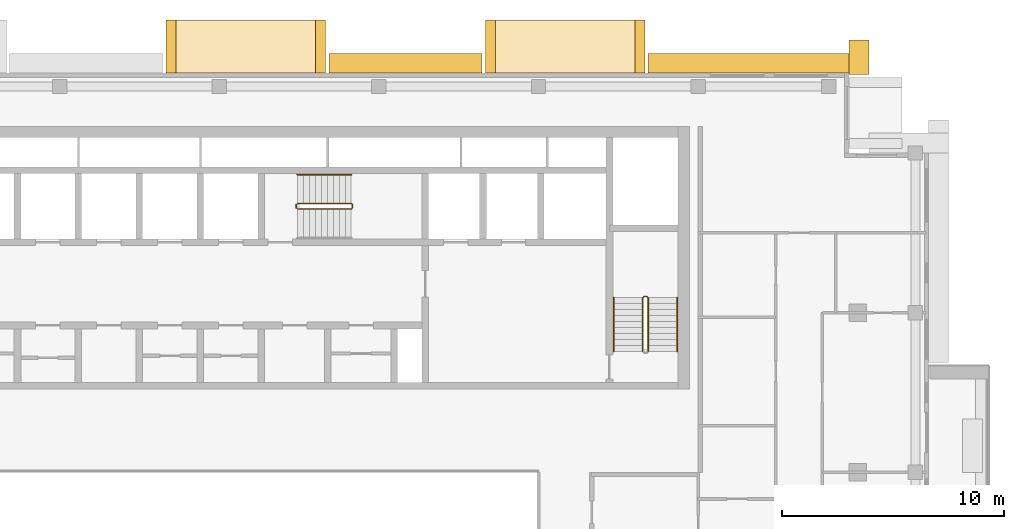
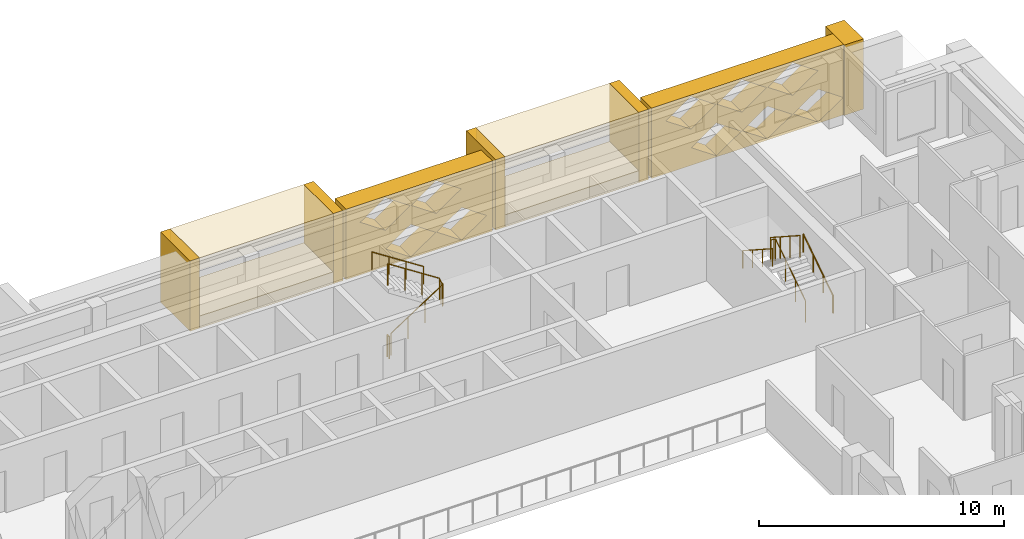
# One storey, part 18 of 19: 11 coverings, 6 railings.
"""IFC4 building model written with IfcOpenShell, lengths in metres."""

from ifc_helpers import new_model, si_unit, direction, frame, origin, origin_2d, place, context, subcontext, project, spatial, polyline, circle, outline, extrude, material, type_object, element, save


model = new_model("IFC4")

# Units and contexts
model_context = context("Model", 3, precision=1e-05, world=origin(), true_north=direction((0.0, 1.0)))
body_context = subcontext(model_context, "Body", "Model", "MODEL_VIEW")
ifc_project = project(units=[si_unit("LENGTHUNIT", "METRE"), si_unit("AREAUNIT", "SQUARE_METRE"), si_unit("VOLUMEUNIT", "CUBIC_METRE"), si_unit("PLANEANGLEUNIT", "RADIAN"), si_unit("MASSUNIT", "GRAM", prefix="KILO")], contexts=[model_context])

# Site, building, storey
site_placement = place(None, origin())
site = spatial("IfcSite", under=ifc_project, at=site_placement, CompositionType="ELEMENT")
building_placement = place(site_placement, origin())
building = spatial("IfcBuilding", under=site, at=building_placement, Name="Saffron Iwan Residences", CompositionType="ELEMENT")
storey_placement = place(building_placement, frame((0.0, 0.0, 246.5)))
storey = spatial("IfcBuildingStorey", under=building, at=storey_placement, Name="L66", CompositionType="ELEMENT", Elevation=246.5)

# Coverings
ifc_material_1 = material(Name="Precast concrete C40/50", Category="concrete")
covering_type_1 = type_object("IfcCoveringType", Name="OUTER SKIN LATTICE SCREEN", PredefinedType="CLADDING", material=ifc_material_1)
covering_1_placement = place(storey_placement, frame((78.800048828125, 80.35009765625, -0.280029296875), z_axis=(1.0, 0.0, 0.0), x_axis=(0.0, 1.0, 0.0)))
element("IfcCovering", 1, at=covering_1_placement, inside=storey, type_object=covering_type_1, Name="OUTER SKIN lattice screen L66 F4.0", PredefinedType="CLADDING", context=body_context, shape_type="SweptSolid", body=[
    extrude(outline(polyline([(0.0, 0.0), (1.550048828125, 0.0), (1.550048828125, 3.5), (0.0, 3.5), (0.0, 0.0)])), origin(), (0.0, 0.0, 1.0), 0.89990234375),
])
covering_2_placement = place(storey_placement, frame((79.699951171875, 80.39990234375, -0.280029296875), z_axis=(0.0, 1.0, 0.0), x_axis=(-1.0, 0.0, 0.0)))
element("IfcCovering", 2, at=covering_2_placement, inside=storey, type_object=covering_type_1, Name="OUTER SKIN lattice screen L66 F5.0", PredefinedType="CLADDING", context=body_context, shape_type="SweptSolid", body=[
    extrude(outline(polyline([(0.0, 0.0), (9.949951171875, 0.0), (9.949951171875, 3.5), (0.0, 3.5), (0.0, 0.0)]), holes=[polyline([(0.919921875, 0.875), (2.10009765625, 0.06005859375), (3.280029296875, 0.875), (2.10009765625, 1.68994140625), (0.919921875, 0.875)]), polyline([(3.320068359375, 0.875), (4.5, 0.06005859375), (5.679931640625, 0.875), (4.5, 1.68994140625), (3.320068359375, 0.875)]), polyline([(5.719970703125, 0.875), (6.89990234375, 0.06005859375), (8.080078125, 0.875), (6.89990234375, 1.68994140625), (5.719970703125, 0.875)]), polyline([(2.1201171875, 2.625), (3.300048828125, 1.81005859375), (4.47998046875, 2.625), (3.300048828125, 3.43994140625), (2.1201171875, 2.625)]), polyline([(4.52001953125, 2.625), (5.699951171875, 1.81005859375), (6.8798828125, 2.625), (5.699951171875, 3.43994140625), (4.52001953125, 2.625)]), polyline([(6.919921875, 2.625), (8.10009765625, 1.81005859375), (9.280029296875, 2.625), (8.10009765625, 3.43994140625), (6.919921875, 2.625)])]), origin(), (0.0, 0.0, 1.0), 0.900146484375),
])
covering_3_placement = place(storey_placement, frame((62.25, 80.39990234375, -0.280029296875), z_axis=(0.0, 1.0, 0.0), x_axis=(-1.0, 0.0, 0.0)))
element("IfcCovering", 3, at=covering_3_placement, inside=storey, type_object=covering_type_1, Name="OUTER SKIN lattice screen L66 F5.1", PredefinedType="CLADDING", context=body_context, shape_type="SweptSolid", body=[
    extrude(outline(polyline([(0.0, 0.0), (6.89990234375, 0.0), (6.89990234375, 3.5), (0.0, 3.5), (0.0, 0.0)]), holes=[polyline([(0.27001953125, 0.875), (1.449951171875, 0.06005859375), (2.6298828125, 0.875), (1.449951171875, 1.68994140625), (0.27001953125, 0.875)]), polyline([(2.669921875, 0.875), (3.85009765625, 0.06005859375), (5.030029296875, 0.875), (3.85009765625, 1.68994140625), (2.669921875, 0.875)]), polyline([(1.469970703125, 2.625), (2.64990234375, 1.81005859375), (3.830078125, 2.625), (2.64990234375, 3.43994140625), (1.469970703125, 2.625)]), polyline([(3.8701171875, 2.625), (5.050048828125, 1.81005859375), (6.22998046875, 2.625), (5.050048828125, 3.43994140625), (3.8701171875, 2.625)])]), origin(), (0.0, 0.0, 1.0), 0.900146484375),
])

# Railings
ifc_material_2 = material(Name="Steel S355", Category="steel")
railing_type_1 = type_object("IfcRailingType", Name="Stair guard 1100", PredefinedType="GUARDRAIL", material=ifc_material_2)
railing_1_placement = place(storey_placement, frame((53.925048828125, 74.27490234375, 0.175048828125)))
element("IfcRailing", 4, at=railing_1_placement, inside=storey, type_object=railing_type_1, Name="L66 ST-C stair guard 1", PredefinedType="GUARDRAIL", context=body_context, shape_type="SweptSolid", body=[
    extrude(circle(Radius=0.02392578125, at=origin_2d()), frame((0.0, 0.0, 1.076171875), z_axis=(0.839153699163, 0.0, 0.543894354798), x_axis=(0.0, 1.0, 0.0)), (0.0, 0.0, 1.0), 2.895751953125),
    extrude(circle(Radius=0.02392578125, at=origin_2d()), frame((2.429931640625, 0.0, 2.65087890625), z_axis=(0.707106781187, 0.707106781187, 0.0), x_axis=(-0.707106781187, 0.707106781187, 0.0)), (0.0, 0.0, 1.0), 0.07080078125),
    extrude(circle(Radius=0.02392578125, at=origin_2d()), frame((2.47998046875, 0.050048828125, 2.65087890625), z_axis=(0.0, 1.0, 0.0), x_axis=(-1.0, 0.0, 0.0)), (0.0, 0.0, 1.0), 0.150146484375),
    extrude(circle(Radius=0.02392578125, at=origin_2d()), frame((2.47998046875, 0.2001953125, 2.65087890625), z_axis=(-0.265155923931, 0.263862480399, 0.927399011991), x_axis=(-0.705375805398, -0.708833529934, 0.0)), (0.0, 0.0, 1.0), 0.188720703125),
    extrude(circle(Radius=0.02392578125, at=origin_2d()), frame((2.429931640625, 0.25, 2.826171875), z_axis=(-0.839153699163, 0.0, 0.543894354798), x_axis=(0.0, -1.0, 0.0)), (0.0, 0.0, 1.0), 2.895751953125),
    extrude(circle(Radius=0.02099609375, at=origin_2d()), origin(), (0.0, 0.0, 1.0), 1.052001953125),
    extrude(circle(Radius=0.02099609375, at=origin_2d()), frame((0.81005859375, 0.0, 0.52490234375)), (0.0, 0.0, 1.0), 1.052001953125),
    extrude(circle(Radius=0.02099609375, at=origin_2d()), frame((1.619873046875, 0.0, 1.050048828125)), (0.0, 0.0, 1.0), 1.052001953125),
    extrude(circle(Radius=0.02099609375, at=origin_2d()), frame((2.429931640625, 0.0, 1.574951171875)), (0.0, 0.0, 1.0), 1.052001953125),
    extrude(circle(Radius=0.02099609375, at=origin_2d()), frame((2.47998046875, 0.050048828125, 1.574951171875)), (0.0, 0.0, 1.0), 1.052001953125),
    extrude(circle(Radius=0.02099609375, at=origin_2d()), frame((2.47998046875, 0.2001953125, 1.574951171875)), (0.0, 0.0, 1.0), 1.052001953125),
    extrude(circle(Radius=0.02099609375, at=origin_2d()), frame((2.429931640625, 0.25, 1.75)), (0.0, 0.0, 1.0), 1.052001953125),
    extrude(circle(Radius=0.02099609375, at=origin_2d()), frame((1.619873046875, 0.25, 2.27490234375)), (0.0, 0.0, 1.0), 1.052001953125),
    extrude(circle(Radius=0.02099609375, at=origin_2d()), frame((0.81005859375, 0.25, 2.800048828125)), (0.0, 0.0, 1.0), 1.052001953125),
    extrude(circle(Radius=0.02099609375, at=origin_2d()), frame((0.0, 0.25, 3.324951171875)), (0.0, 0.0, 1.0), 1.052001953125),
])
railing_2_placement = place(storey_placement, frame((53.875, 74.324951171875, 0.0)))
element("IfcRailing", 5, at=railing_2_placement, inside=storey, type_object=railing_type_1, Name="L66 ST-C stair guard 2", PredefinedType="GUARDRAIL", context=body_context, shape_type="SweptSolid", body=[
    extrude(circle(Radius=0.02392578125, at=origin_2d()), frame((0.0, 0.0, 1.076171875), z_axis=(0.0, 1.0, 0.0), x_axis=(-1.0, 0.0, 0.0)), (0.0, 0.0, 1.0), 0.150146484375),
    extrude(circle(Radius=0.02099609375, at=origin_2d()), origin(), (0.0, 0.0, 1.0), 1.052001953125),
    extrude(circle(Radius=0.02099609375, at=origin_2d()), frame((0.0, 0.150146484375, 0.0)), (0.0, 0.0, 1.0), 1.052001953125),
])
railing_3_placement = place(storey_placement, frame((69.75, 67.85009765625, 0.175048828125)))
element("IfcRailing", 6, at=railing_3_placement, inside=storey, type_object=railing_type_1, Name="L66 ST-E stair guard 1", PredefinedType="GUARDRAIL", context=body_context, shape_type="SweptSolid", body=[
    extrude(circle(Radius=0.02392578125, at=origin_2d()), frame((0.0, 0.0, 1.076171875), z_axis=(0.0, 0.839153699163, 0.543894354798), x_axis=(-1.0, 0.0, 0.0)), (0.0, 0.0, 1.0), 2.895751953125),
    extrude(circle(Radius=0.02392578125, at=origin_2d()), frame((0.0, 2.429931640625, 2.65087890625), z_axis=(-0.707106781187, 0.707106781187, 0.0), x_axis=(-0.707106781187, -0.707106781187, 0.0)), (0.0, 0.0, 1.0), 0.07080078125),
    extrude(circle(Radius=0.02392578125, at=origin_2d()), frame((-0.050048828125, 2.47998046875, 2.65087890625), z_axis=(-1.0, 0.0, 0.0), x_axis=(0.0, -1.0, 0.0)), (0.0, 0.0, 1.0), 0.14990234375),
    extrude(circle(Radius=0.02392578125, at=origin_2d()), frame((-0.199951171875, 2.47998046875, 2.65087890625), z_axis=(-0.265065253269, -0.265065253269, 0.927081885822), x_axis=(0.707106781187, -0.707106781187, 0.0)), (0.0, 0.0, 1.0), 0.188720703125),
    extrude(circle(Radius=0.02392578125, at=origin_2d()), frame((-0.25, 2.429931640625, 2.826171875), z_axis=(0.0, -0.839153699163, 0.543894354798), x_axis=(1.0, 0.0, 0.0)), (0.0, 0.0, 1.0), 2.895751953125),
    extrude(circle(Radius=0.02099609375, at=origin_2d()), origin(), (0.0, 0.0, 1.0), 1.052001953125),
    extrude(circle(Radius=0.02099609375, at=origin_2d()), frame((0.0, 0.81005859375, 0.52490234375)), (0.0, 0.0, 1.0), 1.052001953125),
    extrude(circle(Radius=0.02099609375, at=origin_2d()), frame((0.0, 1.619873046875, 1.050048828125)), (0.0, 0.0, 1.0), 1.052001953125),
    extrude(circle(Radius=0.02099609375, at=origin_2d()), frame((0.0, 2.429931640625, 1.574951171875)), (0.0, 0.0, 1.0), 1.052001953125),
    extrude(circle(Radius=0.02099609375, at=origin_2d()), frame((-0.050048828125, 2.47998046875, 1.574951171875)), (0.0, 0.0, 1.0), 1.052001953125),
    extrude(circle(Radius=0.02099609375, at=origin_2d()), frame((-0.199951171875, 2.47998046875, 1.574951171875)), (0.0, 0.0, 1.0), 1.052001953125),
    extrude(circle(Radius=0.02099609375, at=origin_2d()), frame((-0.25, 2.429931640625, 1.75)), (0.0, 0.0, 1.0), 1.052001953125),
    extrude(circle(Radius=0.02099609375, at=origin_2d()), frame((-0.25, 1.619873046875, 2.27490234375)), (0.0, 0.0, 1.0), 1.052001953125),
    extrude(circle(Radius=0.02099609375, at=origin_2d()), frame((-0.25, 0.81005859375, 2.800048828125)), (0.0, 0.0, 1.0), 1.052001953125),
    extrude(circle(Radius=0.02099609375, at=origin_2d()), frame((-0.25, 0.0, 3.324951171875)), (0.0, 0.0, 1.0), 1.052001953125),
])
ifc_material_3 = material(Name="Stainless steel 316", Category="steel")
railing_type_2 = type_object("IfcRailingType", Name="Stair handrail 900", PredefinedType="HANDRAIL", material=ifc_material_3)
railing_4_placement = place(storey_placement, frame((56.35498046875, 75.824951171875, 1.925048828125)))
element("IfcRailing", 7, at=railing_4_placement, inside=storey, type_object=railing_type_2, Name="L66 ST-C stair handrail 2", PredefinedType="HANDRAIL", context=body_context, shape_type="SweptSolid", body=[
    extrude(circle(Radius=0.02392578125, at=origin_2d()), frame((0.0, 0.0, 0.8759765625), z_axis=(-0.839153699163, 0.0, 0.543894354798), x_axis=(0.0, -1.0, 0.0)), (0.0, 0.0, 1.0), 2.895751953125),
    extrude(circle(Radius=0.02099609375, at=origin_2d()), origin(), (0.0, 0.0, 1.0), 0.851806640625),
    extrude(circle(Radius=0.02099609375, at=origin_2d()), frame((-0.81005859375, 0.0, 0.52490234375)), (0.0, 0.0, 1.0), 0.851806640625),
    extrude(circle(Radius=0.02099609375, at=origin_2d()), frame((-1.619873046875, 0.0, 1.050048828125)), (0.0, 0.0, 1.0), 0.851806640625),
    extrude(circle(Radius=0.02099609375, at=origin_2d()), frame((-2.429931640625, 0.0, 1.574951171875)), (0.0, 0.0, 1.0), 0.851806640625),
])
railing_5_placement = place(storey_placement, frame((71.050048828125, 67.85009765625, 0.175048828125)))
element("IfcRailing", 8, at=railing_5_placement, inside=storey, type_object=railing_type_2, Name="L66 ST-E stair handrail 1", PredefinedType="HANDRAIL", context=body_context, shape_type="SweptSolid", body=[
    extrude(circle(Radius=0.02392578125, at=origin_2d()), frame((0.0, 0.0, 0.8759765625), z_axis=(0.0, 0.839153699163, 0.543894354798), x_axis=(-1.0, 0.0, 0.0)), (0.0, 0.0, 1.0), 2.895751953125),
    extrude(circle(Radius=0.02099609375, at=origin_2d()), origin(), (0.0, 0.0, 1.0), 0.851806640625),
    extrude(circle(Radius=0.02099609375, at=origin_2d()), frame((0.0, 0.81005859375, 0.52490234375)), (0.0, 0.0, 1.0), 0.851806640625),
    extrude(circle(Radius=0.02099609375, at=origin_2d()), frame((0.0, 1.619873046875, 1.050048828125)), (0.0, 0.0, 1.0), 0.851806640625),
    extrude(circle(Radius=0.02099609375, at=origin_2d()), frame((0.0, 2.429931640625, 1.574951171875)), (0.0, 0.0, 1.0), 0.851806640625),
])
railing_6_placement = place(storey_placement, frame((68.199951171875, 70.280029296875, 1.925048828125)))
element("IfcRailing", 9, at=railing_6_placement, inside=storey, type_object=railing_type_2, Name="L66 ST-E stair handrail 2", PredefinedType="HANDRAIL", context=body_context, shape_type="SweptSolid", body=[
    extrude(circle(Radius=0.02392578125, at=origin_2d()), frame((0.0, 0.0, 0.8759765625), z_axis=(0.0, -0.839153699163, 0.543894354798), x_axis=(1.0, 0.0, 0.0)), (0.0, 0.0, 1.0), 2.895751953125),
    extrude(circle(Radius=0.02099609375, at=origin_2d()), origin(), (0.0, 0.0, 1.0), 0.851806640625),
    extrude(circle(Radius=0.02099609375, at=origin_2d()), frame((0.0, -0.81005859375, 0.52490234375)), (0.0, 0.0, 1.0), 0.851806640625),
    extrude(circle(Radius=0.02099609375, at=origin_2d()), frame((0.0, -1.619873046875, 1.050048828125)), (0.0, 0.0, 1.0), 0.851806640625),
    extrude(circle(Radius=0.02099609375, at=origin_2d()), frame((0.0, -2.429931640625, 1.574951171875)), (0.0, 0.0, 1.0), 0.851806640625),
])

# Coverings
ifc_material_4 = material(Name="Precast concrete C40/50 white painted", Category="concrete")
covering_type_2 = type_object("IfcCoveringType", Name="WHITE SUN FRAME PRECAST", PredefinedType="CLADDING", material=ifc_material_4)
for number, where, z_axis, x_axis, name in (
    (10, (69.60009765625, 80.39990234375, -0.280029296875), (0.0, 1.0, 0.0), (-1.0, 0.0, 0.0), "Sun frame L66 F5 9.2a"),
    (11, (62.85009765625, 80.39990234375, -0.280029296875), (0.0, 1.0, 0.0), (-1.0, 0.0, 0.0), "Sun frame L66 F5 9.2b"),
):
    element("IfcCovering", number, at=place(storey_placement, frame(where, z_axis=z_axis, x_axis=x_axis)), inside=storey, type_object=covering_type_2, Name=name, PredefinedType="CLADDING", context=body_context, shape_type="SweptSolid", body=[
        extrude(outline(polyline([(0.0, 0.0), (0.449951171875, 0.0), (0.449951171875, 3.5), (0.0, 3.5), (0.0, 0.0)])), origin(), (0.0, 0.0, 1.0), 2.400146484375),
    ])
for number, where, z_axis, x_axis, name in (
    (12, (69.14990234375, 80.39990234375, 2.6201171875), (0.0, 1.0, 0.0), (-1.0, 0.0, 0.0), "Sun frame L66 F5 9.2h"),
    (13, (69.14990234375, 80.39990234375, -0.280029296875), (0.0, 1.0, 0.0), (-1.0, 0.0, 0.0), "Sun frame L66 F5 9.2s"),
):
    element("IfcCovering", number, at=place(storey_placement, frame(where, z_axis=z_axis, x_axis=x_axis)), inside=storey, type_object=covering_type_2, Name=name, PredefinedType="CLADDING", context=body_context, shape_type="SweptSolid", body=[
        extrude(outline(polyline([(0.0, 0.0), (6.300048828125, 0.0), (6.300048828125, 0.60009765625), (0.0, 0.60009765625), (0.0, 0.0)])), origin(), (0.0, 0.0, 1.0), 2.400146484375),
    ])
for number, where, z_axis, x_axis, name in (
    (14, (55.199951171875, 80.39990234375, -0.280029296875), (0.0, 1.0, 0.0), (-1.0, 0.0, 0.0), "Sun frame L66 F5 23.6a"),
    (15, (48.449951171875, 80.39990234375, -0.280029296875), (0.0, 1.0, 0.0), (-1.0, 0.0, 0.0), "Sun frame L66 F5 23.6b"),
):
    element("IfcCovering", number, at=place(storey_placement, frame(where, z_axis=z_axis, x_axis=x_axis)), inside=storey, type_object=covering_type_2, Name=name, PredefinedType="CLADDING", context=body_context, shape_type="SweptSolid", body=[
        extrude(outline(polyline([(0.0, 0.0), (0.449951171875, 0.0), (0.449951171875, 3.5), (0.0, 3.5), (0.0, 0.0)])), origin(), (0.0, 0.0, 1.0), 2.400146484375),
    ])
for number, where, z_axis, x_axis, name in (
    (16, (54.75, 80.39990234375, 2.6201171875), (0.0, 1.0, 0.0), (-1.0, 0.0, 0.0), "Sun frame L66 F5 23.6h"),
    (17, (54.75, 80.39990234375, -0.280029296875), (0.0, 1.0, 0.0), (-1.0, 0.0, 0.0), "Sun frame L66 F5 23.6s"),
):
    element("IfcCovering", number, at=place(storey_placement, frame(where, z_axis=z_axis, x_axis=x_axis)), inside=storey, type_object=covering_type_2, Name=name, PredefinedType="CLADDING", context=body_context, shape_type="SweptSolid", body=[
        extrude(outline(polyline([(0.0, 0.0), (6.300048828125, 0.0), (6.300048828125, 0.60009765625), (0.0, 0.60009765625), (0.0, 0.0)])), origin(), (0.0, 0.0, 1.0), 2.400146484375),
    ])

save(model, "model.ifc")
